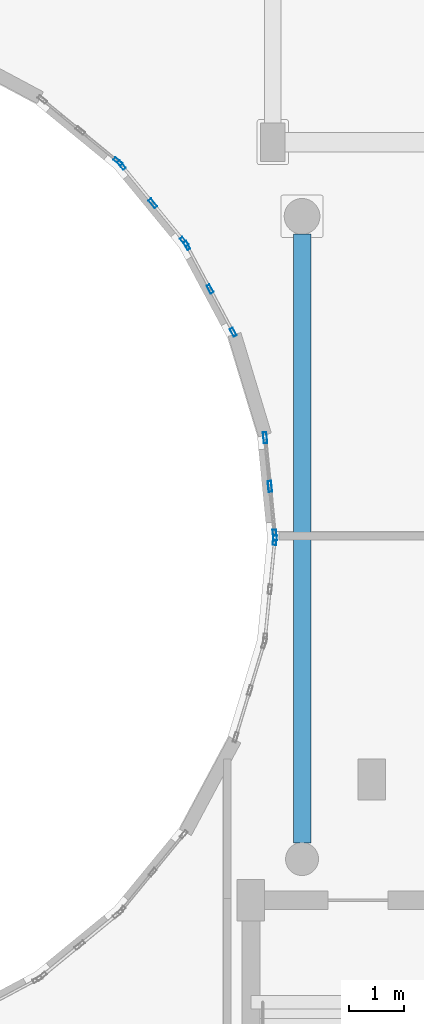
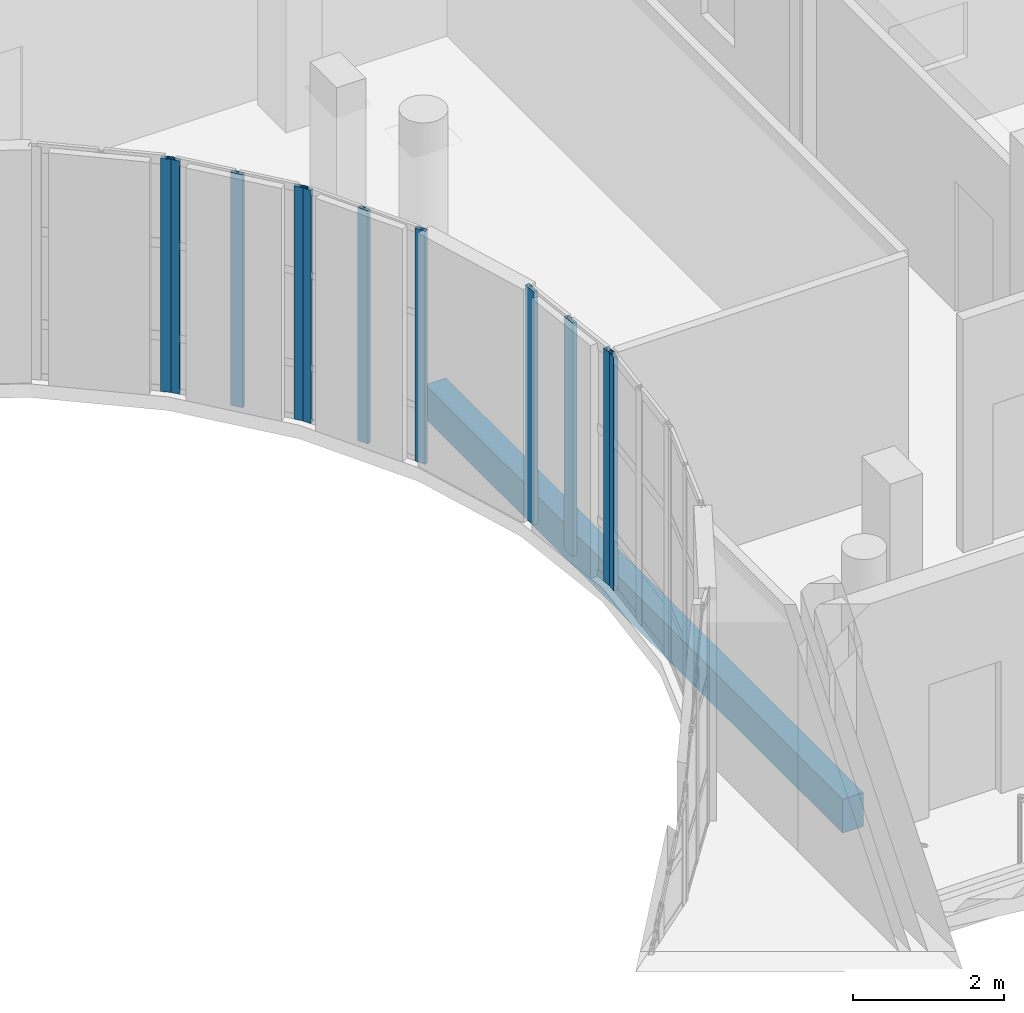
# One storey, part 40 of 105: 11 members, 1 beam, 5 elements without a shape of their own.
"""IFC4 building model written with IfcOpenShell, lengths in metres."""

from ifc_helpers import new_model, si_unit, direction, frame, origin, origin_2d, place, context, subcontext, project, spatial, rectangle, hollow_rectangle, extrude, material, layer, layer_set, material_profile, profile_set, type_object, element, aggregate, save


model = new_model("IFC4")

# Units and contexts
model_context = context("Model", 3, precision=1e-05, world=origin(), true_north=direction((0.0, 1.0)))
body_context = subcontext(model_context, "Body", "Model", "MODEL_VIEW")
ifc_project = project(units=[si_unit("LENGTHUNIT", "METRE"), si_unit("AREAUNIT", "SQUARE_METRE"), si_unit("VOLUMEUNIT", "CUBIC_METRE"), si_unit("PLANEANGLEUNIT", "RADIAN"), si_unit("MASSUNIT", "GRAM", prefix="KILO")], contexts=[model_context])

# Site, building, storey
site_placement = place(None, origin())
site = spatial("IfcSite", under=ifc_project, at=site_placement, CompositionType="ELEMENT")
building_placement = place(site_placement, origin())
building = spatial("IfcBuilding", under=site, at=building_placement, Name="Kelanivale Promenade Academy", CompositionType="ELEMENT")
storey_placement = place(building_placement, frame((0.0, 0.0, 4.199951171875)))
storey = spatial("IfcBuildingStorey", under=building, at=storey_placement, Name="L01", CompositionType="ELEMENT", Elevation=4.199951171875)

# Curtain wall, members
ifc_material_1 = material(Name="Bronze anodised aluminium and solar-control low-E glass", Category="aluminium")
ifc_layer_1 = layer(ifc_material_1, 0.179931640625)
ifc_layer_set_1 = layer_set([ifc_layer_1], Name="Bronze anodised aluminium and solar-control low-E glass")
curtain_wall_type_1 = type_object("IfcCurtainWallType", Name="CW-05 Curtain Wall 1950mm Module", PredefinedType="USERDEFINED", material=ifc_layer_set_1)
curtain_wall_1_placement = place(storey_placement, origin())
curtain_wall_1 = element("IfcCurtainWall", 1, at=curtain_wall_1_placement, inside=storey, type_object=curtain_wall_type_1, Name="L01 courtyard curtain wall CW-05", ObjectType="UNITISED GLAZING", PredefinedType="USERDEFINED")
ifc_material_2 = material(Name="Bronze anodised aluminium EN AW-6063 T6", Category="aluminium")
ifc_material_profile_1 = material_profile(ifc_material_2, hollow_rectangle(XDim=0.06005859375, YDim=0.159912109375, WallThickness=0.00390625, at=origin_2d()), Name="ALU 60x160x4.0")
ifc_profile_set_1 = profile_set([ifc_material_profile_1], Name="Bronze anodised aluminium EN AW-6063 T6")
member_type_1 = type_object("IfcMemberType", Name="CWM-01 ALU 60x160x4.0", PredefinedType="MULLION", material=ifc_profile_set_1)
member_1_placement = place(storey_placement, frame((107.678955078125, 60.54052734375, 0.0), z_axis=(0.0, 0.0, 1.0), x_axis=(-0.881978204448, -0.471290193914, 0.0)))
member_1 = element("IfcMember", 2, at=member_1_placement, type_object=member_type_1, Name="CW-05 mullion 1", PredefinedType="MULLION", context=body_context, shape_type="SweptSolid", body=[
    extrude(hollow_rectangle(XDim=0.06005859375, YDim=0.159912109375, WallThickness=0.00390625, at=origin_2d()), origin(), (0.0, 0.0, 1.0), 3.780029296875),
])
member_2_placement = place(storey_placement, frame((107.257568359375, 61.3291015625, 0.0), z_axis=(0.0, 0.0, 1.0), x_axis=(-0.881978204448, -0.471290193914, 0.0)))
member_2 = element("IfcMember", 3, at=member_2_placement, type_object=member_type_1, Name="CW-05 mullion 2", PredefinedType="MULLION", context=body_context, shape_type="SweptSolid", body=[
    extrude(hollow_rectangle(XDim=0.06005859375, YDim=0.159912109375, WallThickness=0.00390625, at=origin_2d()), origin(), (0.0, 0.0, 1.0), 3.780029296875),
])
member_3_placement = place(storey_placement, frame((106.836181640625, 62.117431640625, 0.0), z_axis=(0.0, 0.0, 1.0), x_axis=(-0.881978204448, -0.471290193914, 0.0)))
member_3 = element("IfcMember", 4, at=member_3_placement, type_object=member_type_1, Name="CW-05 mullion 3", PredefinedType="MULLION", context=body_context, shape_type="SweptSolid", body=[
    extrude(hollow_rectangle(XDim=0.06005859375, YDim=0.159912109375, WallThickness=0.00390625, at=origin_2d()), origin(), (0.0, 0.0, 1.0), 3.780029296875),
])
aggregate(curtain_wall_1, [member_1, member_2, member_3])

ifc_layer_2 = layer(ifc_material_1, 0.159912109375)
ifc_layer_set_2 = layer_set([ifc_layer_2], Name="Bronze anodised aluminium and solar-control low-E glass")
curtain_wall_type_2 = type_object("IfcCurtainWallType", Name="CW-06 Curtain Wall 1200mm Module", PredefinedType="USERDEFINED", material=ifc_layer_set_2)
curtain_wall_2_placement = place(storey_placement, origin())
curtain_wall_2 = element("IfcCurtainWall", 5, at=curtain_wall_2_placement, inside=storey, type_object=curtain_wall_type_2, Name="L01 courtyard curtain wall CW-06", ObjectType="UNITISED GLAZING", PredefinedType="USERDEFINED")
ifc_material_profile_2 = material_profile(ifc_material_2, hollow_rectangle(XDim=0.06005859375, YDim=0.179931640625, WallThickness=0.00390625, at=origin_2d()), Name="ALU 60x180x4.0")
ifc_profile_set_2 = profile_set([ifc_material_profile_2], Name="Bronze anodised aluminium EN AW-6063 T6")
member_type_2 = type_object("IfcMemberType", Name="CWM-02 ALU 60x180x4.0", PredefinedType="MULLION", material=ifc_profile_set_2)
member_4_placement = place(storey_placement, frame((106.7880859375, 62.190185546875, 0.0), z_axis=(0.0, 0.0, 1.0), x_axis=(-0.773215132597, -0.634143799719, 0.0)))
member_4 = element("IfcMember", 6, at=member_4_placement, type_object=member_type_2, Name="CW-06 mullion 1", PredefinedType="MULLION", context=body_context, shape_type="SweptSolid", body=[
    extrude(hollow_rectangle(XDim=0.06005859375, YDim=0.179931640625, WallThickness=0.00390625, at=origin_2d()), origin(), (0.0, 0.0, 1.0), 3.780029296875),
])
member_5_placement = place(storey_placement, frame((106.216552734375, 62.886962890625, 0.0), z_axis=(0.0, 0.0, 1.0), x_axis=(-0.773215132597, -0.634143799719, 0.0)))
member_5 = element("IfcMember", 7, at=member_5_placement, type_object=member_type_2, Name="CW-06 mullion 2", PredefinedType="MULLION", context=body_context, shape_type="SweptSolid", body=[
    extrude(hollow_rectangle(XDim=0.06005859375, YDim=0.179931640625, WallThickness=0.00390625, at=origin_2d()), origin(), (0.0, 0.0, 1.0), 3.780029296875),
])
member_6_placement = place(storey_placement, frame((105.64501953125, 63.583740234375, 0.0), z_axis=(0.0, 0.0, 1.0), x_axis=(-0.773215132597, -0.634143799719, 0.0)))
member_6 = element("IfcMember", 8, at=member_6_placement, type_object=member_type_2, Name="CW-06 mullion 3", PredefinedType="MULLION", context=body_context, shape_type="SweptSolid", body=[
    extrude(hollow_rectangle(XDim=0.06005859375, YDim=0.179931640625, WallThickness=0.00390625, at=origin_2d()), origin(), (0.0, 0.0, 1.0), 3.780029296875),
])
aggregate(curtain_wall_2, [member_4, member_5, member_6])

# Curtain wall, member
ifc_layer_3 = layer(ifc_material_1, 0.169921875)
ifc_layer_set_3 = layer_set([ifc_layer_3], Name="Bronze anodised aluminium and solar-control low-E glass")
curtain_wall_type_3 = type_object("IfcCurtainWallType", Name="CW-07 Curtain Wall 1350mm Module", PredefinedType="USERDEFINED", material=ifc_layer_set_3)
curtain_wall_3_placement = place(storey_placement, origin())
curtain_wall_3 = element("IfcCurtainWall", 9, at=curtain_wall_3_placement, inside=storey, type_object=curtain_wall_type_3, Name="L01 courtyard curtain wall CW-07", ObjectType="UNITISED GLAZING", PredefinedType="USERDEFINED")
ifc_material_profile_3 = material_profile(ifc_material_2, hollow_rectangle(XDim=0.06494140625, YDim=0.175048828125, WallThickness=0.00390625, at=origin_2d()), Name="ALU 65x175x4.0")
ifc_profile_set_3 = profile_set([ifc_material_profile_3], Name="Bronze anodised aluminium EN AW-6063 T6")
member_type_3 = type_object("IfcMemberType", Name="CWM-03 ALU 65x175x4.0", PredefinedType="MULLION", material=ifc_profile_set_3)
member_7_placement = place(storey_placement, frame((105.581787109375, 63.646728515625, 0.0), z_axis=(0.0, 0.0, 1.0), x_axis=(-0.634092539482, -0.773257170269, 0.0)))
member_7 = element("IfcMember", 10, at=member_7_placement, type_object=member_type_3, Name="CW-07 mullion 1", PredefinedType="MULLION", context=body_context, shape_type="SweptSolid", body=[
    extrude(hollow_rectangle(XDim=0.06494140625, YDim=0.175048828125, WallThickness=0.00390625, at=origin_2d()), origin(), (0.0, 0.0, 1.0), 3.780029296875),
])
aggregate(curtain_wall_3, [member_7])

ifc_layer_4 = layer(ifc_material_1, 0.159912109375)
ifc_layer_set_4 = layer_set([ifc_layer_4], Name="Bronze anodised aluminium and solar-control low-E glass")
curtain_wall_type_4 = type_object("IfcCurtainWallType", Name="CW-03 Curtain Wall 1650mm Module", PredefinedType="USERDEFINED", material=ifc_layer_set_4)
curtain_wall_4_placement = place(storey_placement, origin())
curtain_wall_4 = element("IfcCurtainWall", 11, at=curtain_wall_4_placement, inside=storey, type_object=curtain_wall_type_4, Name="L01 courtyard curtain wall CW-03", ObjectType="UNITISED GLAZING", PredefinedType="USERDEFINED")
member_8_placement = place(storey_placement, frame((108.435791015625, 56.753662109375, 0.0), z_axis=(0.0, 0.0, 1.0), x_axis=(-0.995158737767, 0.098280652454, 0.0)))
member_8 = element("IfcMember", 12, at=member_8_placement, type_object=member_type_3, Name="CW-03 mullion 3", PredefinedType="MULLION", context=body_context, shape_type="SweptSolid", body=[
    extrude(hollow_rectangle(XDim=0.06494140625, YDim=0.175048828125, WallThickness=0.00390625, at=origin_2d()), origin(), (0.0, 0.0, 1.0), 3.780029296875),
])
aggregate(curtain_wall_4, [member_8])

# Curtain wall, members
ifc_layer_5 = layer(ifc_material_1, 0.169921875)
ifc_layer_set_5 = layer_set([ifc_layer_5], Name="Bronze anodised aluminium and solar-control low-E glass")
curtain_wall_type_5 = type_object("IfcCurtainWallType", Name="CW-04 Curtain Wall 1800mm Module", PredefinedType="USERDEFINED", material=ifc_layer_set_5)
curtain_wall_5_placement = place(storey_placement, origin())
curtain_wall_5 = element("IfcCurtainWall", 13, at=curtain_wall_5_placement, inside=storey, type_object=curtain_wall_type_5, Name="L01 courtyard curtain wall CW-04", ObjectType="UNITISED GLAZING", PredefinedType="USERDEFINED")
ifc_material_profile_4 = material_profile(ifc_material_2, hollow_rectangle(XDim=0.06494140625, YDim=0.199951171875, WallThickness=0.00439453125, at=origin_2d()), Name="ALU 65x200x4.5")
ifc_profile_set_4 = profile_set([ifc_material_profile_4], Name="Bronze anodised aluminium EN AW-6063 T6")
member_type_4 = type_object("IfcMemberType", Name="CWM-04 ALU 65x200x4.5", PredefinedType="MULLION", material=ifc_profile_set_4)
member_9_placement = place(storey_placement, frame((108.435791015625, 56.846435546875, 0.0), z_axis=(0.0, 0.0, 1.0), x_axis=(-0.99513321337, -0.098538762159, 0.0)))
member_9 = element("IfcMember", 14, at=member_9_placement, type_object=member_type_4, Name="CW-04 mullion 1", PredefinedType="MULLION", context=body_context, shape_type="SweptSolid", body=[
    extrude(hollow_rectangle(XDim=0.06494140625, YDim=0.199951171875, WallThickness=0.00439453125, at=origin_2d()), origin(), (0.0, 0.0, 1.0), 3.780029296875),
])
member_10_placement = place(storey_placement, frame((108.347900390625, 57.73291015625, 0.0), z_axis=(0.0, 0.0, 1.0), x_axis=(-0.99513321337, -0.098538762159, 0.0)))
member_10 = element("IfcMember", 15, at=member_10_placement, type_object=member_type_4, Name="CW-04 mullion 2", PredefinedType="MULLION", context=body_context, shape_type="SweptSolid", body=[
    extrude(hollow_rectangle(XDim=0.06494140625, YDim=0.199951171875, WallThickness=0.00439453125, at=origin_2d()), origin(), (0.0, 0.0, 1.0), 3.780029296875),
])
member_11_placement = place(storey_placement, frame((108.26025390625, 58.61962890625, 0.0), z_axis=(0.0, 0.0, 1.0), x_axis=(-0.99513321337, -0.098538762159, 0.0)))
member_11 = element("IfcMember", 16, at=member_11_placement, type_object=member_type_4, Name="CW-04 mullion 3", PredefinedType="MULLION", context=body_context, shape_type="SweptSolid", body=[
    extrude(hollow_rectangle(XDim=0.06494140625, YDim=0.199951171875, WallThickness=0.00439453125, at=origin_2d()), origin(), (0.0, 0.0, 1.0), 3.780029296875),
])
aggregate(curtain_wall_5, [member_9, member_10, member_11])

# Beam
ifc_material_3 = material(Name="Concrete C35/45", Category="concrete")
ifc_material_profile_5 = material_profile(ifc_material_3, rectangle(XDim=0.320068359375, YDim=0.550048828125, at=origin_2d()), Name="RC-BM 320x550")
ifc_profile_set_5 = profile_set([ifc_material_profile_5], Name="Concrete C35/45")
beam_type = type_object("IfcBeamType", Name="JS-04 RC-BM 320x550", PredefinedType="JOIST", material=ifc_profile_set_5)
beam_placement = place(storey_placement, frame((108.931884765625, 51.2451171875, -0.494873046875), z_axis=(0.0, 1.0, 0.0), x_axis=(-1.0, 0.0, 0.0)))
element("IfcBeam", 17, at=beam_placement, inside=storey, type_object=beam_type, Name="L01 beam JS-04", PredefinedType="JOIST", context=body_context, shape_type="SweptSolid", body=[
    extrude(rectangle(XDim=0.320068359375, YDim=0.550048828125, at=origin_2d()), origin(), (0.0, 0.0, 1.0), 11.0849609375),
])

save(model, "model.ifc")
